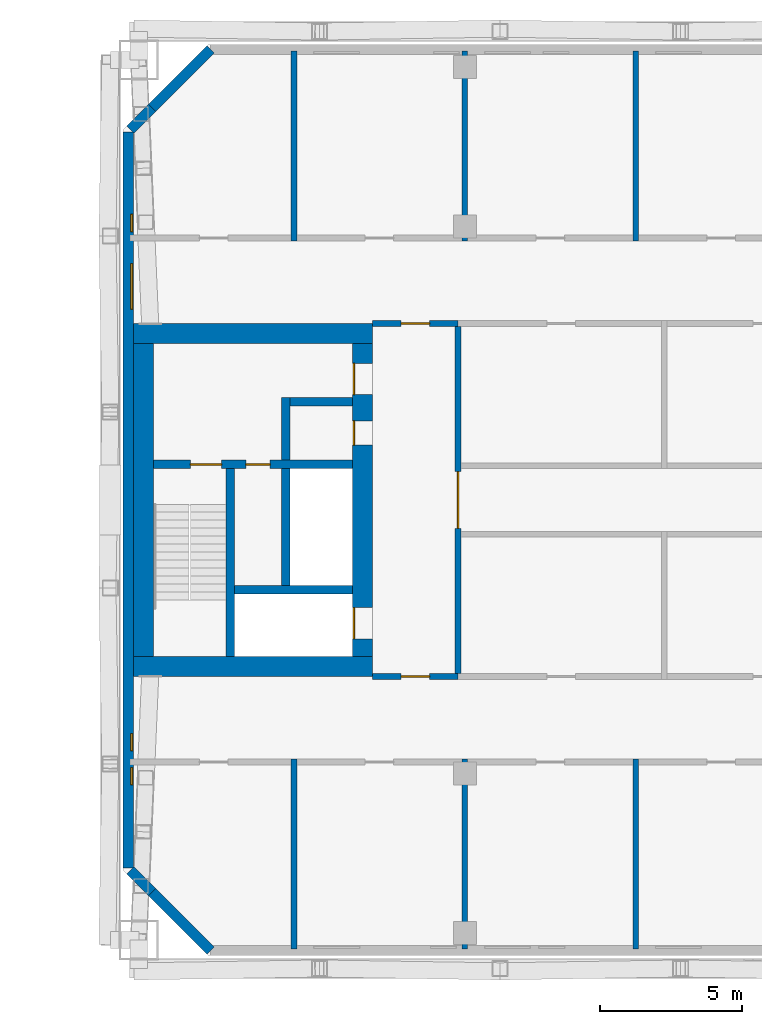
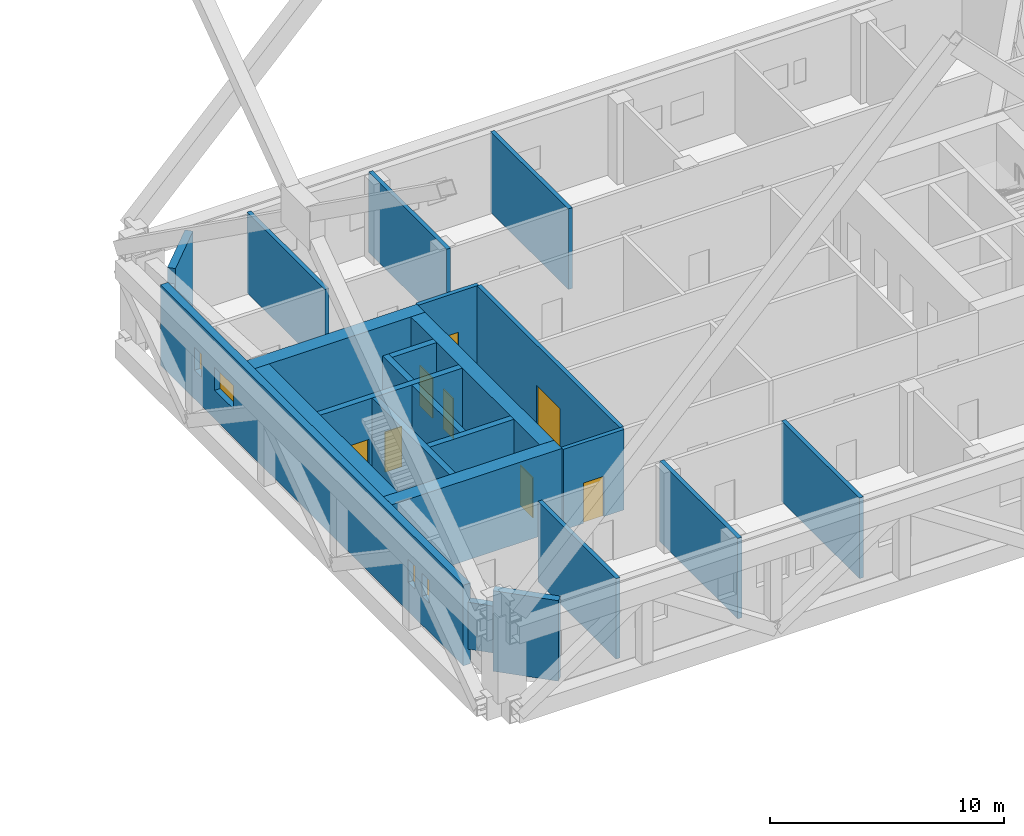
# One storey, part 11 of 20: 24 walls, 8 doors, 4 windows, 12 openings.
"""IFC4 building model written with IfcOpenShell, lengths in metres."""

from ifc_helpers import new_model, si_unit, direction, frame, frame_2d, origin, place, context, subcontext, project, spatial, rectangle, extrude, material, layer, layer_set, type_object, element, fill, save


model = new_model("IFC4")

# Units and contexts
model_context = context("Model", 3, precision=1e-05, world=origin(), true_north=direction((0.0, 1.0)))
body_context = subcontext(model_context, "Body", "Model", "MODEL_VIEW")
ifc_project = project(units=[si_unit("LENGTHUNIT", "METRE"), si_unit("AREAUNIT", "SQUARE_METRE"), si_unit("VOLUMEUNIT", "CUBIC_METRE"), si_unit("PLANEANGLEUNIT", "RADIAN"), si_unit("MASSUNIT", "GRAM", prefix="KILO")], contexts=[model_context])

# Site, building, storey
site_placement = place(None, origin())
site = spatial("IfcSite", under=ifc_project, at=site_placement, CompositionType="ELEMENT")
building_placement = place(site_placement, origin())
building = spatial("IfcBuilding", under=site, at=building_placement, Name="Tuart Gate Housing", CompositionType="ELEMENT")
storey_placement = place(building_placement, frame((0.0, 0.0, 62.89990234375)))
storey = spatial("IfcBuildingStorey", under=building, at=storey_placement, Name="L17", CompositionType="ELEMENT", Elevation=62.89990234375)

# Walls
ifc_material_1 = material(Name="Brick", Category="masonry")
ifc_layer_1 = layer(ifc_material_1, 0.360107421875)
ifc_layer_set_1 = layer_set([ifc_layer_1], Name="Brick pier and spandrel wall 360")
wall_type_1 = type_object("IfcWallType", Name="Brick pier and spandrel wall 360", PredefinedType="STANDARD", material=ifc_layer_set_1)
wall_1_placement = place(storey_placement, frame((131.25390625, 57.000732421875, 0.953125), z_axis=(0.0, 0.0, 1.0), x_axis=(0.706994764273, -0.707218780358, 0.0)))
element("IfcWall", 1, at=wall_1_placement, inside=storey, type_object=wall_type_1, Name="External wall B-SW L17", PredefinedType="STANDARD", context=body_context, shape_type="SweptSolid", body=[
    extrude(rectangle(XDim=1.08984375, YDim=0.360107421875, at=frame_2d((0.544921875, 0.0))), origin(), (0.0, 0.0, 1.0), 2.444091796875),
])
for number, where, z_axis, x_axis, name in (
    (2, (132.0244140625, 56.22998046875, 0.0), (0.0, 0.0, 1.0), (0.707148882153, -0.707064677713, 0.0), "External wall B-SW L17"),
    (3, (134.07470703125, 85.820068359375, 0.0), (0.0, 0.0, 1.0), (-0.707148882153, -0.707064677713, 0.0), "External wall B-NW L17"),
):
    element("IfcWall", number, at=place(storey_placement, frame(where, z_axis=z_axis, x_axis=x_axis)), inside=storey, type_object=wall_type_1, Name=name, PredefinedType="STANDARD", context=body_context, shape_type="SweptSolid", body=[
        extrude(rectangle(XDim=2.8994140625, YDim=0.360107421875, at=frame_2d((1.44970703125, 0.0))), origin(), (0.0, 0.0, 1.0), 4.2001953125),
    ])
wall_2_placement = place(storey_placement, frame((132.0244140625, 83.77001953125, 0.953125), z_axis=(0.0, 0.0, 1.0), x_axis=(-0.706994764273, -0.707218780358, 0.0)))
element("IfcWall", 4, at=wall_2_placement, inside=storey, type_object=wall_type_1, Name="External wall B-NW L17", PredefinedType="STANDARD", context=body_context, shape_type="SweptSolid", body=[
    extrude(rectangle(XDim=1.08984375, YDim=0.360107421875, at=frame_2d((0.544921875, 0.0))), origin(), (0.0, 0.0, 1.0), 2.444091796875),
])

# Wall, openings, windows
wall_3_placement = place(storey_placement, frame((131.179931640625, 82.92529296875, 0.0), z_axis=(0.0, 0.0, 1.0), x_axis=(0.0, -1.0, 0.0)))
wall_3 = element("IfcWall", 5, at=wall_3_placement, inside=storey, type_object=wall_type_1, Name="External wall B-W L17", PredefinedType="STANDARD", context=body_context, shape_type="SweptSolid", body=[
    extrude(rectangle(XDim=25.850830078125, YDim=0.360107421875, at=frame_2d((12.92529296875, 0.0))), origin(), (0.0, 0.0, 1.0), 4.2001953125),
])
opening_1_placement = place(wall_3_placement, frame((2.89990234375, 0.0, 1.5)))
opening_1 = element("IfcOpeningElement", 6, at=opening_1_placement, cuts=wall_3, Name="Opening W3C", PredefinedType="OPENING", context=body_context, shape_type="SweptSolid", body=[
    extrude(rectangle(XDim=0.60009765625, YDim=1.199951171875, at=frame_2d((0.300048828125, 0.60009765625))), frame((0.0, 0.18994140625, 0.0), z_axis=(0.0, -1.0, 0.0), x_axis=(1.0, 0.0, 0.0)), (0.0, 0.0, 1.0), 0.380126953125),
])
opening_2_placement = place(wall_3_placement, frame((4.62548828125, 0.0, 1.5)))
opening_2 = element("IfcOpeningElement", 7, at=opening_2_placement, cuts=wall_3, Name="Opening W3", PredefinedType="OPENING", context=body_context, shape_type="SweptSolid", body=[
    extrude(rectangle(XDim=1.60009765625, YDim=1.199951171875, at=frame_2d((0.800048828125, 0.60009765625))), frame((0.0, 0.18994140625, 0.0), z_axis=(0.0, -1.0, 0.0), x_axis=(1.0, 0.0, 0.0)), (0.0, 0.0, 1.0), 0.380126953125),
])
opening_3_placement = place(wall_3_placement, frame((21.12548828125, 0.0, 1.5)))
opening_3 = element("IfcOpeningElement", 8, at=opening_3_placement, cuts=wall_3, Name="Opening W3C", PredefinedType="OPENING", context=body_context, shape_type="SweptSolid", body=[
    extrude(rectangle(XDim=0.60009765625, YDim=1.199951171875, at=frame_2d((0.300048828125, 0.60009765625))), frame((0.0, 0.18994140625, 0.0), z_axis=(0.0, -1.0, 0.0), x_axis=(1.0, 0.0, 0.0)), (0.0, 0.0, 1.0), 0.380126953125),
])
opening_4_placement = place(wall_3_placement, frame((22.325439453125, 0.0, 1.5)))
opening_4 = element("IfcOpeningElement", 9, at=opening_4_placement, cuts=wall_3, Name="Opening W3C", PredefinedType="OPENING", context=body_context, shape_type="SweptSolid", body=[
    extrude(rectangle(XDim=0.60009765625, YDim=1.199951171875, at=frame_2d((0.300048828125, 0.60009765625))), frame((0.0, 0.18994140625, 0.0), z_axis=(0.0, -1.0, 0.0), x_axis=(1.0, 0.0, 0.0)), (0.0, 0.0, 1.0), 0.380126953125),
])
ifc_material_2 = material(Name="Aluminium louvre blades", Category="aluminium")
window_type_1 = type_object("IfcWindowType", Name="Louvre window 1600 x 1200", PartitioningType="DOUBLE_PANEL_HORIZONTAL", PredefinedType="WINDOW", material=ifc_material_2)
window_1_placement = place(opening_2_placement, origin())
window_1 = element("IfcWindow", 10, at=window_1_placement, inside=storey, type_object=window_type_1, Name="Louvre W3", OverallHeight=1.199951171875, OverallWidth=1.60009765625, PartitioningType="DOUBLE_PANEL_HORIZONTAL", PredefinedType="WINDOW", context=body_context, shape_type="SweptSolid", body=[
    extrude(rectangle(XDim=1.60009765625, YDim=1.199951171875, at=frame_2d((0.800048828125, 0.60009765625))), frame((0.0, 0.150146484375, 0.0), z_axis=(0.0, -1.0, 0.0), x_axis=(1.0, 0.0, 0.0)), (0.0, 0.0, 1.0), 0.06005859375),
])
fill(opening_2, window_1)
ifc_material_3 = material(Name="Aluminium louvre blades", Category="aluminium")
window_type_2 = type_object("IfcWindowType", Name="Louvre window 600 x 1200", PartitioningType="DOUBLE_PANEL_HORIZONTAL", PredefinedType="WINDOW", material=ifc_material_3)
window_2_placement = place(opening_1_placement, origin())
window_2 = element("IfcWindow", 11, at=window_2_placement, inside=storey, type_object=window_type_2, Name="Louvre W3C", OverallHeight=1.199951171875, OverallWidth=0.60009765625, PartitioningType="DOUBLE_PANEL_HORIZONTAL", PredefinedType="WINDOW", context=body_context, shape_type="SweptSolid", body=[
    extrude(rectangle(XDim=0.60009765625, YDim=1.199951171875, at=frame_2d((0.300048828125, 0.60009765625))), frame((0.0, 0.150146484375, 0.0), z_axis=(0.0, -1.0, 0.0), x_axis=(1.0, 0.0, 0.0)), (0.0, 0.0, 1.0), 0.06005859375),
])
fill(opening_1, window_2)
window_3_placement = place(opening_3_placement, origin())
window_3 = element("IfcWindow", 12, at=window_3_placement, inside=storey, type_object=window_type_2, Name="Louvre W3C", OverallHeight=1.199951171875, OverallWidth=0.60009765625, PartitioningType="DOUBLE_PANEL_HORIZONTAL", PredefinedType="WINDOW", context=body_context, shape_type="SweptSolid", body=[
    extrude(rectangle(XDim=0.60009765625, YDim=1.199951171875, at=frame_2d((0.300048828125, 0.60009765625))), frame((0.0, 0.150146484375, 0.0), z_axis=(0.0, -1.0, 0.0), x_axis=(1.0, 0.0, 0.0)), (0.0, 0.0, 1.0), 0.06005859375),
])
fill(opening_3, window_3)
window_4_placement = place(opening_4_placement, origin())
window_4 = element("IfcWindow", 13, at=window_4_placement, inside=storey, type_object=window_type_2, Name="Louvre W3C", OverallHeight=1.199951171875, OverallWidth=0.60009765625, PartitioningType="DOUBLE_PANEL_HORIZONTAL", PredefinedType="WINDOW", context=body_context, shape_type="SweptSolid", body=[
    extrude(rectangle(XDim=0.60009765625, YDim=1.199951171875, at=frame_2d((0.300048828125, 0.60009765625))), frame((0.0, 0.150146484375, 0.0), z_axis=(0.0, -1.0, 0.0), x_axis=(1.0, 0.0, 0.0)), (0.0, 0.0, 1.0), 0.06005859375),
])
fill(opening_4, window_4)

# Wall
ifc_material_4 = material(Name="Concrete C50", Category="concrete")
ifc_layer_2 = layer(ifc_material_4, 0.300048828125)
ifc_layer_set_2 = layer_set([ifc_layer_2], Name="Core wall 300 C50")
wall_type_2 = type_object("IfcWallType", Name="Core wall 300 C50", PredefinedType="SHEAR", material=ifc_layer_set_2)
wall_4_placement = place(storey_placement, frame((139.06005859375, 66.85009765625, 0.0), z_axis=(0.0, 0.0, 1.0), x_axis=(-1.0, 0.0, 0.0)))
element("IfcWall", 14, at=wall_4_placement, inside=storey, type_object=wall_type_2, Name="Core wall BG.1", PredefinedType="SHEAR", context=body_context, shape_type="SweptSolid", body=[
    extrude(rectangle(XDim=4.150146484375, YDim=0.300048828125, at=frame_2d((2.0751953125, 0.0))), origin(), (0.0, 0.0, 1.0), 4.2001953125),
])

# Wall, openings, doors
wall_5_placement = place(storey_placement, frame((139.06005859375, 71.25, 0.0), z_axis=(0.0, 0.0, 1.0), x_axis=(-1.0, 0.0, 0.0)))
wall_5 = element("IfcWall", 15, at=wall_5_placement, inside=storey, type_object=wall_type_2, Name="Core wall BG.2", PredefinedType="SHEAR", context=body_context, shape_type="SweptSolid", body=[
    extrude(rectangle(XDim=7.0, YDim=0.300048828125, at=frame_2d((3.5, 0.0))), origin(), (0.0, 0.0, 1.0), 4.2001953125),
])
opening_5_placement = place(wall_5_placement, frame((4.60009765625, 0.0, 0.0)))
opening_5 = element("IfcOpeningElement", 16, at=opening_5_placement, cuts=wall_5, Name="Opening D3354", PredefinedType="OPENING", context=body_context, shape_type="SweptSolid", body=[
    extrude(rectangle(XDim=1.10009765625, YDim=2.10009765625, at=frame_2d((0.550048828125, 1.050048828125))), frame((0.0, 0.159912109375, 0.0), z_axis=(0.0, -1.0, 0.0), x_axis=(1.0, 0.0, 0.0)), (0.0, 0.0, 1.0), 0.320068359375),
])
opening_6_placement = place(wall_5_placement, frame((2.89990234375, 0.0, 0.0)))
opening_6 = element("IfcOpeningElement", 17, at=opening_6_placement, cuts=wall_5, Name="Opening D3353", PredefinedType="OPENING", context=body_context, shape_type="SweptSolid", body=[
    extrude(rectangle(XDim=0.85009765625, YDim=2.10009765625, at=frame_2d((0.425048828125, 1.050048828125))), frame((0.0, 0.159912109375, 0.0), z_axis=(0.0, -1.0, 0.0), x_axis=(1.0, 0.0, 0.0)), (0.0, 0.0, 1.0), 0.320068359375),
])
ifc_material_5 = material(Name="Steel fire door", Category="steel")
door_type_1 = type_object("IfcDoorType", Name="Riser door 850 x 2100", OperationType="SINGLE_SWING_LEFT", PredefinedType="DOOR", material=ifc_material_5)
door_1_placement = place(opening_6_placement, origin())
door_1 = element("IfcDoor", 18, at=door_1_placement, inside=storey, type_object=door_type_1, Name="Service room door BG.W1", OperationType="SINGLE_SWING_LEFT", OverallHeight=2.10009765625, OverallWidth=0.85009765625, PredefinedType="DOOR", context=body_context, shape_type="SweptSolid", body=[
    extrude(rectangle(XDim=0.85009765625, YDim=2.10009765625, at=frame_2d((0.425048828125, 1.050048828125))), frame((0.0, 0.02490234375, 0.0), z_axis=(0.0, -1.0, 0.0), x_axis=(1.0, 0.0, 0.0)), (0.0, 0.0, 1.0), 0.050048828125),
])
fill(opening_6, door_1)
ifc_material_6 = material(Name="Steel fire door", Category="steel")
door_type_2 = type_object("IfcDoorType", Name="Stair door 1100 x 2100", OperationType="SINGLE_SWING_LEFT", PredefinedType="DOOR", material=ifc_material_6)
door_2_placement = place(opening_5_placement, origin())
door_2 = element("IfcDoor", 19, at=door_2_placement, inside=storey, type_object=door_type_2, Name="Stair door BG.SD", OperationType="SINGLE_SWING_LEFT", OverallHeight=2.10009765625, OverallWidth=1.10009765625, PredefinedType="DOOR", context=body_context, shape_type="SweptSolid", body=[
    extrude(rectangle(XDim=1.10009765625, YDim=2.10009765625, at=frame_2d((0.550048828125, 1.050048828125))), frame((0.0, 0.02490234375, 0.0), z_axis=(0.0, -1.0, 0.0), x_axis=(1.0, 0.0, 0.0)), (0.0, 0.0, 1.0), 0.050048828125),
])
fill(opening_5, door_2)

# Walls
wall_6_placement = place(storey_placement, frame((139.06005859375, 73.449951171875, 0.0), z_axis=(0.0, 0.0, 1.0), x_axis=(-1.0, 0.0, 0.0)))
element("IfcWall", 20, at=wall_6_placement, inside=storey, type_object=wall_type_2, Name="Core wall BG.3", PredefinedType="SHEAR", context=body_context, shape_type="SweptSolid", body=[
    extrude(rectangle(XDim=2.199951171875, YDim=0.300048828125, at=frame_2d((1.10009765625, 0.0))), origin(), (0.0, 0.0, 1.0), 4.2001953125),
])
wall_7_placement = place(storey_placement, frame((136.7099609375, 67.0, 0.0), z_axis=(0.0, 0.0, 1.0), x_axis=(0.0, 1.0, 0.0)))
element("IfcWall", 21, at=wall_7_placement, inside=storey, type_object=wall_type_2, Name="Core wall BG.4", PredefinedType="SHEAR", context=body_context, shape_type="SweptSolid", body=[
    extrude(rectangle(XDim=4.10009765625, YDim=0.300048828125, at=frame_2d((2.050048828125, 0.0))), origin(), (0.0, 0.0, 1.0), 4.2001953125),
])
wall_8_placement = place(storey_placement, frame((136.7099609375, 71.39990234375, 0.0), z_axis=(0.0, 0.0, 1.0), x_axis=(0.0, 1.0, 0.0)))
element("IfcWall", 22, at=wall_8_placement, inside=storey, type_object=wall_type_2, Name="Core wall BG.5", PredefinedType="SHEAR", context=body_context, shape_type="SweptSolid", body=[
    extrude(rectangle(XDim=2.2001953125, YDim=0.300048828125, at=frame_2d((1.10009765625, 0.0))), origin(), (0.0, 0.0, 1.0), 4.2001953125),
])
wall_9_placement = place(storey_placement, frame((134.760009765625, 64.5, 0.0), z_axis=(0.0, 0.0, 1.0), x_axis=(0.0, 1.0, 0.0)))
element("IfcWall", 23, at=wall_9_placement, inside=storey, type_object=wall_type_2, Name="Core wall BG.6", PredefinedType="SHEAR", context=body_context, shape_type="SweptSolid", body=[
    extrude(rectangle(XDim=6.60009765625, YDim=0.300048828125, at=frame_2d((3.300048828125, 0.0))), origin(), (0.0, 0.0, 1.0), 4.2001953125),
])

# Wall, openings, doors
ifc_material_7 = material(Name="Concrete C50", Category="concrete")
ifc_layer_3 = layer(ifc_material_7, 0.699951171875)
ifc_layer_set_3 = layer_set([ifc_layer_3], Name="Core wall 700 C50")
wall_type_3 = type_object("IfcWallType", Name="Core wall 700 C50", PredefinedType="SHEAR", material=ifc_layer_set_3)
wall_10_placement = place(storey_placement, frame((139.409912109375, 64.5, 0.0), z_axis=(0.0, 0.0, 1.0), x_axis=(0.0, 1.0, 0.0)))
wall_10 = element("IfcWall", 24, at=wall_10_placement, inside=storey, type_object=wall_type_3, Name="Core wall BG front", PredefinedType="SHEAR", context=body_context, shape_type="SweptSolid", body=[
    extrude(rectangle(XDim=11.0, YDim=0.699951171875, at=frame_2d((5.5, 0.0))), origin(), (0.0, 0.0, 1.0), 4.2001953125),
])
opening_7_placement = place(wall_10_placement, frame((0.625, 0.0, 0.0)))
opening_7 = element("IfcOpeningElement", 25, at=opening_7_placement, cuts=wall_10, Name="Opening LD-FB1", PredefinedType="OPENING", context=body_context, shape_type="SweptSolid", body=[
    extrude(rectangle(XDim=1.10009765625, YDim=2.10009765625, at=frame_2d((0.550048828125, 1.050048828125))), frame((0.0, 0.35986328125, 0.0), z_axis=(0.0, -1.0, 0.0), x_axis=(1.0, 0.0, 0.0)), (0.0, 0.0, 1.0), 0.719970703125),
])
opening_8_placement = place(wall_10_placement, frame((9.199951171875, 0.0, 0.0)))
opening_8 = element("IfcOpeningElement", 26, at=opening_8_placement, cuts=wall_10, Name="Opening D3355", PredefinedType="OPENING", context=body_context, shape_type="SweptSolid", body=[
    extrude(rectangle(XDim=1.10009765625, YDim=2.10009765625, at=frame_2d((0.550048828125, 1.050048828125))), frame((0.0, 0.35986328125, 0.0), z_axis=(0.0, -1.0, 0.0), x_axis=(1.0, 0.0, 0.0)), (0.0, 0.0, 1.0), 0.719970703125),
])
opening_9_placement = place(wall_10_placement, frame((7.425048828125, 0.0, 0.0)))
opening_9 = element("IfcOpeningElement", 27, at=opening_9_placement, cuts=wall_10, Name="Opening D3356", PredefinedType="OPENING", context=body_context, shape_type="SweptSolid", body=[
    extrude(rectangle(XDim=0.85009765625, YDim=2.10009765625, at=frame_2d((0.425048828125, 1.050048828125))), frame((0.0, 0.35986328125, 0.0), z_axis=(0.0, -1.0, 0.0), x_axis=(1.0, 0.0, 0.0)), (0.0, 0.0, 1.0), 0.719970703125),
])
ifc_material_8 = material(Name="Stainless steel", Category="steel")
door_type_3 = type_object("IfcDoorType", Name="Landing door 1100 x 2100", OperationType="DOUBLE_DOOR_SLIDING", PredefinedType="DOOR", material=ifc_material_8)
door_3_placement = place(opening_7_placement, origin())
door_3 = element("IfcDoor", 28, at=door_3_placement, inside=storey, type_object=door_type_3, Name="Lift landing door FB1", OperationType="DOUBLE_DOOR_SLIDING", OverallHeight=2.10009765625, OverallWidth=1.10009765625, PredefinedType="DOOR", context=body_context, shape_type="SweptSolid", body=[
    extrude(rectangle(XDim=1.10009765625, YDim=2.10009765625, at=frame_2d((0.550048828125, 1.050048828125))), frame((0.0, 0.3349609375, 0.0), z_axis=(0.0, -1.0, 0.0), x_axis=(1.0, 0.0, 0.0)), (0.0, 0.0, 1.0), 0.050048828125),
])
fill(opening_7, door_3)
ifc_material_9 = material(Name="Steel fire door", Category="steel")
door_type_4 = type_object("IfcDoorType", Name="Lobby door 1100 x 2100", OperationType="SINGLE_SWING_LEFT", PredefinedType="DOOR", material=ifc_material_9)
door_4_placement = place(opening_8_placement, origin())
door_4 = element("IfcDoor", 29, at=door_4_placement, inside=storey, type_object=door_type_4, Name="Lobby entry door BG.EN", OperationType="SINGLE_SWING_LEFT", OverallHeight=2.10009765625, OverallWidth=1.10009765625, PredefinedType="DOOR", context=body_context, shape_type="SweptSolid", body=[
    extrude(rectangle(XDim=1.10009765625, YDim=2.10009765625, at=frame_2d((0.550048828125, 1.050048828125))), frame((0.0, 0.3349609375, 0.0), z_axis=(0.0, -1.0, 0.0), x_axis=(1.0, 0.0, 0.0)), (0.0, 0.0, 1.0), 0.050048828125),
])
fill(opening_8, door_4)
ifc_material_10 = material(Name="Steel fire door", Category="steel")
door_type_5 = type_object("IfcDoorType", Name="Service door 850 x 2100", OperationType="SINGLE_SWING_LEFT", PredefinedType="DOOR", material=ifc_material_10)
door_5_placement = place(opening_9_placement, origin())
door_5 = element("IfcDoor", 30, at=door_5_placement, inside=storey, type_object=door_type_5, Name="Service room door BG.T1", OperationType="SINGLE_SWING_LEFT", OverallHeight=2.10009765625, OverallWidth=0.85009765625, PredefinedType="DOOR", context=body_context, shape_type="SweptSolid", body=[
    extrude(rectangle(XDim=0.85009765625, YDim=2.10009765625, at=frame_2d((0.425048828125, 1.050048828125))), frame((0.0, 0.3349609375, 0.0), z_axis=(0.0, -1.0, 0.0), x_axis=(1.0, 0.0, 0.0)), (0.0, 0.0, 1.0), 0.050048828125),
])
fill(opening_9, door_5)

# Walls
wall_11_placement = place(storey_placement, frame((131.7099609375, 64.5, 0.0), z_axis=(0.0, 0.0, 1.0), x_axis=(0.0, 1.0, 0.0)))
element("IfcWall", 31, at=wall_11_placement, inside=storey, type_object=wall_type_3, Name="Core wall BG back", PredefinedType="SHEAR", context=body_context, shape_type="SweptSolid", body=[
    extrude(rectangle(XDim=11.0, YDim=0.699951171875, at=frame_2d((5.5, 0.0))), origin(), (0.0, 0.0, 1.0), 4.2001953125),
])
for number, where, z_axis, x_axis, name in (
    (32, (139.760009765625, 64.14990234375, 0.0), (0.0, 0.0, 1.0), (-1.0, 0.0, 0.0), "Core wall BG south"),
    (33, (139.760009765625, 75.85009765625, 0.0), (0.0, 0.0, 1.0), (-1.0, 0.0, 0.0), "Core wall BG north"),
):
    element("IfcWall", number, at=place(storey_placement, frame(where, z_axis=z_axis, x_axis=x_axis)), inside=storey, type_object=wall_type_3, Name=name, PredefinedType="SHEAR", context=body_context, shape_type="SweptSolid", body=[
        extrude(rectangle(XDim=8.39990234375, YDim=0.699951171875, at=frame_2d((4.199951171875, 0.0))), origin(), (0.0, 0.0, 1.0), 4.2001953125),
    ])

# Wall, opening, door
ifc_material_11 = material(Name="Concrete masonry 15 MPa", Category="masonry")
ifc_layer_4 = layer(ifc_material_11, 0.199951171875)
ifc_layer_set_4 = layer_set([ifc_layer_4], Name="Enclosure wall masonry 200")
wall_type_4 = type_object("IfcWallType", Name="Enclosure wall masonry 200", PredefinedType="PARTITIONING", material=ifc_layer_set_4)
wall_12_placement = place(storey_placement, frame((139.760009765625, 63.800048828125, 0.0), z_axis=(0.0, 0.0, 1.0), x_axis=(1.0, 0.0, 0.0)))
wall_12 = element("IfcWall", 34, at=wall_12_placement, inside=storey, type_object=wall_type_4, Name="Enclosure wall masonry 200", PredefinedType="PARTITIONING", context=body_context, shape_type="SweptSolid", body=[
    extrude(rectangle(XDim=3.0, YDim=0.199951171875, at=frame_2d((1.5, 0.0))), origin(), (0.0, 0.0, 1.0), 4.2001953125),
])
opening_10_placement = place(wall_12_placement, frame((1.0, 0.0, 0.0)))
opening_10 = element("IfcOpeningElement", 35, at=opening_10_placement, cuts=wall_12, Name="Opening D3364", PredefinedType="OPENING", context=body_context, shape_type="SweptSolid", body=[
    extrude(rectangle(XDim=1.0, YDim=2.10009765625, at=frame_2d((0.5, 1.050048828125))), frame((0.0, 0.10986328125, 0.0), z_axis=(0.0, -1.0, 0.0), x_axis=(1.0, 0.0, 0.0)), (0.0, 0.0, 1.0), 0.219970703125),
])
ifc_material_12 = material(Name="Timber door leaf in steel frame", Category="steel")
door_type_6 = type_object("IfcDoorType", Name="Lobby door 1000 RH", OperationType="SINGLE_SWING_RIGHT", PredefinedType="DOOR", material=ifc_material_12)
door_6_placement = place(opening_10_placement, origin())
door_6 = element("IfcDoor", 36, at=door_6_placement, inside=storey, type_object=door_type_6, Name="Lobby door 1000", OperationType="SINGLE_SWING_RIGHT", OverallHeight=2.10009765625, OverallWidth=1.0, PredefinedType="DOOR", context=body_context, shape_type="SweptSolid", body=[
    extrude(rectangle(XDim=1.0, YDim=2.10009765625, at=frame_2d((0.5, 1.050048828125))), frame((0.0, 0.02490234375, 0.0), z_axis=(0.0, -1.0, 0.0), x_axis=(1.0, 0.0, 0.0)), (0.0, 0.0, 1.0), 0.050048828125),
])
fill(opening_10, door_6)

wall_13_placement = place(storey_placement, frame((139.760009765625, 76.199951171875, 0.0), z_axis=(0.0, 0.0, 1.0), x_axis=(1.0, 0.0, 0.0)))
wall_13 = element("IfcWall", 37, at=wall_13_placement, inside=storey, type_object=wall_type_4, Name="Enclosure wall masonry 200", PredefinedType="PARTITIONING", context=body_context, shape_type="SweptSolid", body=[
    extrude(rectangle(XDim=3.0, YDim=0.199951171875, at=frame_2d((1.5, 0.0))), origin(), (0.0, 0.0, 1.0), 4.2001953125),
])
opening_11_placement = place(wall_13_placement, frame((1.0, 0.0, 0.0)))
opening_11 = element("IfcOpeningElement", 38, at=opening_11_placement, cuts=wall_13, Name="Opening D3349", PredefinedType="OPENING", context=body_context, shape_type="SweptSolid", body=[
    extrude(rectangle(XDim=1.0, YDim=2.10009765625, at=frame_2d((0.5, 1.050048828125))), frame((0.0, 0.10986328125, 0.0), z_axis=(0.0, -1.0, 0.0), x_axis=(1.0, 0.0, 0.0)), (0.0, 0.0, 1.0), 0.219970703125),
])
ifc_material_13 = material(Name="Timber door leaf in steel frame", Category="steel")
door_type_7 = type_object("IfcDoorType", Name="Lobby door 1000", OperationType="SINGLE_SWING_LEFT", PredefinedType="DOOR", material=ifc_material_13)
door_7_placement = place(opening_11_placement, frame((1.0, 0.0, 0.0), z_axis=(0.0, 0.0, 1.0), x_axis=(-1.0, 0.0, 0.0)))
door_7 = element("IfcDoor", 39, at=door_7_placement, inside=storey, type_object=door_type_7, Name="Lobby door 1000", OperationType="SINGLE_SWING_LEFT", OverallHeight=2.10009765625, OverallWidth=1.0, PredefinedType="DOOR", context=body_context, shape_type="SweptSolid", body=[
    extrude(rectangle(XDim=1.0, YDim=2.10009765625, at=frame_2d((0.5, 1.050048828125))), frame((0.0, 0.025146484375, 0.0), z_axis=(0.0, -1.0, 0.0), x_axis=(1.0, 0.0, 0.0)), (0.0, 0.0, 1.0), 0.050048828125),
])
fill(opening_11, door_7)

# Walls
for number, where, z_axis, x_axis, name in (
    (40, (137.0, 54.239990234375, 0.0), (0.0, 0.0, 1.0), (0.0, 1.0, 0.0), "Enclosure wall masonry 200"),
    (41, (137.0, 79.10009765625, 0.0), (0.0, 0.0, 1.0), (0.0, 1.0, 0.0), "Enclosure wall masonry 200"),
    (42, (143.0, 54.239990234375, 0.0), (0.0, 0.0, 1.0), (0.0, 1.0, 0.0), "Enclosure wall masonry 200"),
    (43, (143.0, 79.10009765625, 0.0), (0.0, 0.0, 1.0), (0.0, 1.0, 0.0), "Enclosure wall masonry 200"),
    (44, (149.0, 54.239990234375, 0.0), (0.0, 0.0, 1.0), (0.0, 1.0, 0.0), "Enclosure wall masonry 200"),
    (45, (149.0, 79.10009765625, 0.0), (0.0, 0.0, 1.0), (0.0, 1.0, 0.0), "Enclosure wall masonry 200"),
):
    element("IfcWall", number, at=place(storey_placement, frame(where, z_axis=z_axis, x_axis=x_axis)), inside=storey, type_object=wall_type_4, Name=name, PredefinedType="PARTITIONING", context=body_context, shape_type="SweptSolid", body=[
        extrude(rectangle(XDim=6.659912109375, YDim=0.199951171875, at=frame_2d((3.330078125, 0.0))), origin(), (0.0, 0.0, 1.0), 4.2001953125),
    ])

# Wall, opening, door
ifc_material_14 = material(Name="Plasterboard partition")
ifc_layer_5 = layer(ifc_material_14, 0.199951171875)
ifc_layer_set_5 = layer_set([ifc_layer_5], Name="Lobby wall 200")
wall_type_5 = type_object("IfcWallType", Name="Lobby wall 200", PredefinedType="PARTITIONING", material=ifc_layer_set_5)
wall_14_placement = place(storey_placement, frame((142.760009765625, 63.89990234375, 0.0), z_axis=(0.0, 0.0, 1.0), x_axis=(0.0, 1.0, 0.0)))
wall_14 = element("IfcWall", 46, at=wall_14_placement, inside=storey, type_object=wall_type_5, Name="Lift lobby wall BG", PredefinedType="PARTITIONING", context=body_context, shape_type="SweptSolid", body=[
    extrude(rectangle(XDim=12.2001953125, YDim=0.199951171875, at=frame_2d((6.10009765625, 0.0))), origin(), (0.0, 0.0, 1.0), 4.2001953125),
])
opening_12_placement = place(wall_14_placement, frame((5.10009765625, 0.0, 0.0)))
opening_12 = element("IfcOpeningElement", 47, at=opening_12_placement, cuts=wall_14, Name="Opening D3357", PredefinedType="OPENING", context=body_context, shape_type="SweptSolid", body=[
    extrude(rectangle(XDim=2.0, YDim=2.10009765625, at=frame_2d((1.0, 1.050048828125))), frame((0.0, 0.10986328125, 0.0), z_axis=(0.0, -1.0, 0.0), x_axis=(1.0, 0.0, 0.0)), (0.0, 0.0, 1.0), 0.219970703125),
])
ifc_material_15 = material(Name="Steel fire door", Category="steel")
door_type_8 = type_object("IfcDoorType", Name="Smoke door 2000 x 2100", OperationType="DOUBLE_DOOR_SINGLE_SWING", PredefinedType="DOOR", material=ifc_material_15)
door_8_placement = place(opening_12_placement, origin())
door_8 = element("IfcDoor", 48, at=door_8_placement, inside=storey, type_object=door_type_8, Name="Lift lobby smoke door BG", OperationType="DOUBLE_DOOR_SINGLE_SWING", OverallHeight=2.10009765625, OverallWidth=2.0, PredefinedType="DOOR", context=body_context, shape_type="SweptSolid", body=[
    extrude(rectangle(XDim=2.0, YDim=2.10009765625, at=frame_2d((1.0, 1.050048828125))), frame((0.0, 0.02490234375, 0.0), z_axis=(0.0, -1.0, 0.0), x_axis=(1.0, 0.0, 0.0)), (0.0, 0.0, 1.0), 0.050048828125),
])
fill(opening_12, door_8)

save(model, "model.ifc")
